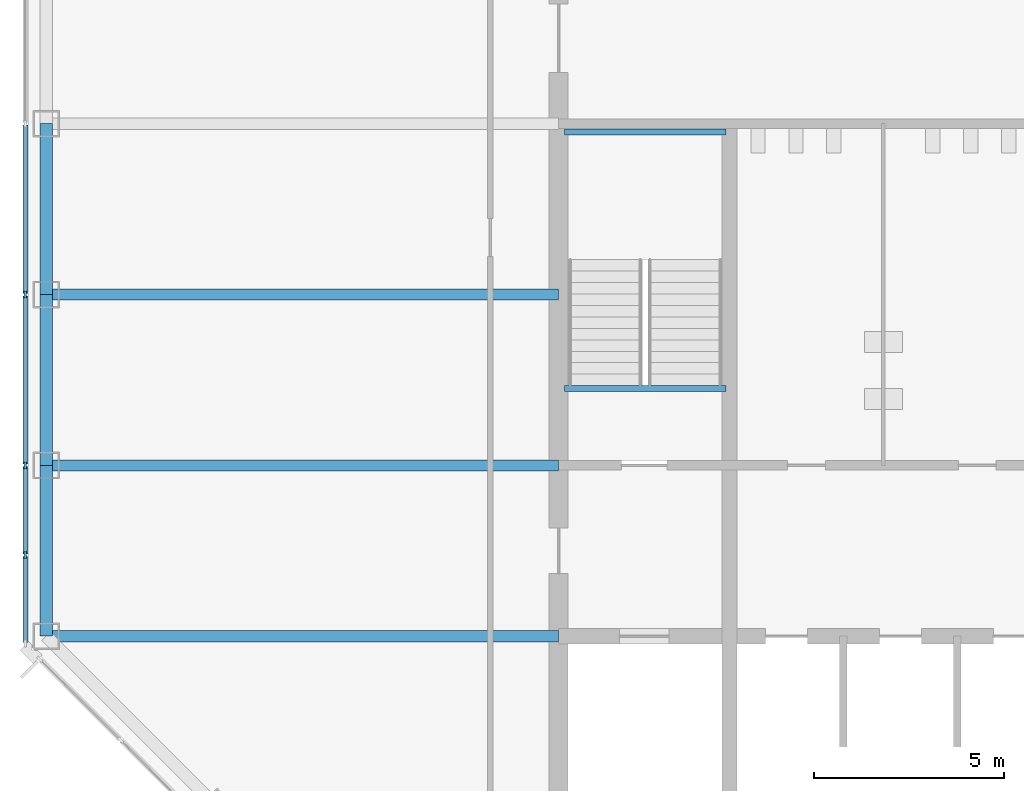
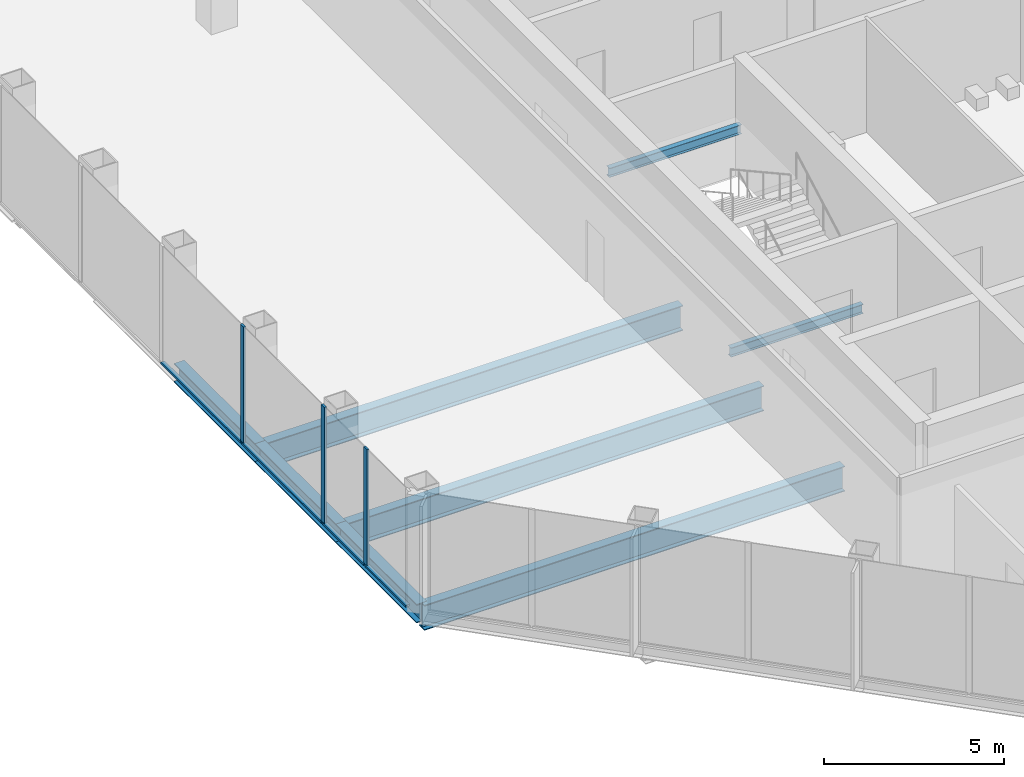
# One storey, part 3 of 12: 8 beams, 7 members, 1 element without a shape of its own.
"""IFC4 building model written with IfcOpenShell, lengths in metres."""

from ifc_helpers import new_model, si_unit, direction, frame, origin, origin_2d, place, context, subcontext, project, spatial, rectangle, i_section, extrude, material, material_profile, profile_set, type_object, element, aggregate, save


model = new_model("IFC4")

# Units and contexts
model_context = context("Model", 3, precision=1e-05, world=origin(), true_north=direction((0.0, 1.0)))
body_context = subcontext(model_context, "Body", "Model", "MODEL_VIEW")
ifc_project = project(units=[si_unit("LENGTHUNIT", "METRE"), si_unit("AREAUNIT", "SQUARE_METRE"), si_unit("VOLUMEUNIT", "CUBIC_METRE"), si_unit("PLANEANGLEUNIT", "RADIAN"), si_unit("MASSUNIT", "GRAM", prefix="KILO")], contexts=[model_context])

# Site, building, storey
site_placement = place(None, origin())
site = spatial("IfcSite", under=ifc_project, at=site_placement, CompositionType="ELEMENT")
building_placement = place(site_placement, origin())
building = spatial("IfcBuilding", under=site, at=building_placement, Name="Corais Broadcast Tower", CompositionType="ELEMENT")
storey_placement = place(building_placement, frame((0.0, 0.0, 183.60009765625)))
storey = spatial("IfcBuildingStorey", under=building, at=storey_placement, Name="L42", CompositionType="ELEMENT", Elevation=183.60009765625)

# Beams
ifc_material_1 = material(Name="Steel ASTM A572 Grade 50", Category="steel")
ifc_material_profile_1 = material_profile(ifc_material_1, i_section(OverallWidth=0.2939453125, OverallDepth=0.85107421875, WebThickness=0.01611328125, FlangeThickness=0.02685546875, at=origin_2d()), Name="W840x226")
ifc_profile_set_1 = profile_set([ifc_material_profile_1], Name="Steel ASTM A572 Grade 50")
beam_type_1 = type_object("IfcBeamType", Name="Floor beam W840x226", PredefinedType="BEAM", material=ifc_profile_set_1)
for number, where, z_axis, x_axis, name in (
    (1, (0.0, 18.0, -0.585693359375), (1.0, 0.0, 0.0), (0.0, 1.0, 0.0), "B1 E/3 to E/6"),
    (2, (0.0, 22.5, -0.585693359375), (1.0, 0.0, 0.0), (0.0, 1.0, 0.0), "B1 F/3 to F/6"),
    (3, (0.0, 27.0, -0.585693359375), (1.0, 0.0, 0.0), (0.0, 1.0, 0.0), "B1 G/3 to G/6"),
):
    element("IfcBeam", number, at=place(storey_placement, frame(where, z_axis=z_axis, x_axis=x_axis)), inside=storey, type_object=beam_type_1, Name=name, PredefinedType="BEAM", context=body_context, shape_type="SweptSolid", body=[
        extrude(i_section(OverallWidth=0.2939453125, OverallDepth=0.85107421875, WebThickness=0.01611328125, FlangeThickness=0.02685546875, at=origin_2d()), origin(), (0.0, 0.0, 1.0), 13.5),
    ])
ifc_material_2 = material(Name="Steel ASTM A572 Grade 50", Category="steel")
ifc_material_profile_2 = material_profile(ifc_material_2, i_section(OverallWidth=0.1650390625, OverallDepth=0.31005859375, WebThickness=0.005859375, FlangeThickness=0.009765625, at=origin_2d()), Name="W310x38.7")
ifc_profile_set_2 = profile_set([ifc_material_profile_2], Name="Steel ASTM A572 Grade 50")
beam_type_2 = type_object("IfcBeamType", Name="Landing trimmer W310x38.7", PredefinedType="BEAM", material=ifc_profile_set_2)
for number, where, z_axis, x_axis, name in (
    (4, (13.64990234375, 24.52490234375, -0.35498046875), (1.0, 0.0, 0.0), (0.0, 1.0, 0.0), "LT1 stair A landing trimmer L42"),
    (5, (13.64990234375, 31.284912109375, 1.64501953125), (1.0, 0.0, 0.0), (0.0, 1.0, 0.0), "LT1 stair A half landing trimmer L42"),
):
    element("IfcBeam", number, at=place(storey_placement, frame(where, z_axis=z_axis, x_axis=x_axis)), inside=storey, type_object=beam_type_2, Name=name, PredefinedType="BEAM", context=body_context, shape_type="SweptSolid", body=[
        extrude(i_section(OverallWidth=0.1650390625, OverallDepth=0.31005859375, WebThickness=0.005859375, FlangeThickness=0.009765625, at=origin_2d()), origin(), (0.0, 0.0, 1.0), 4.25),
    ])

# Curtain wall, members
ifc_material_3 = material(Name="Aluminium and glass", Category="aluminium")
curtain_wall_type = type_object("IfcCurtainWallType", Name="Unitised fritted curtain wall CW2", PredefinedType="NOTDEFINED", material=ifc_material_3)
curtain_wall_placement = place(storey_placement, origin())
curtain_wall = element("IfcCurtainWall", 6, at=curtain_wall_placement, inside=storey, type_object=curtain_wall_type, Name="CW2 curtain wall L42 2", PredefinedType="NOTDEFINED")
ifc_material_4 = material(Name="Aluminium 6063-T6", Category="aluminium")
ifc_material_profile_3 = material_profile(ifc_material_4, rectangle(XDim=0.06494140625, YDim=0.179931640625, at=origin_2d()), Name="Mullion CW2 65x180")
ifc_profile_set_3 = profile_set([ifc_material_profile_3], Name="Aluminium 6063-T6")
member_type_1 = type_object("IfcMemberType", Name="Mullion CW2 65x180", PredefinedType="MULLION", material=ifc_profile_set_3)
member_1_placement = place(storey_placement, frame((-0.550048828125, 20.135986328125, 0.0), z_axis=(0.0, 0.0, 1.0), x_axis=(-1.0, 0.0, 0.0)))
member_1 = element("IfcMember", 7, at=member_1_placement, type_object=member_type_1, Name="CW2 mullion 2", PredefinedType="MULLION", context=body_context, shape_type="SweptSolid", body=[
    extrude(rectangle(XDim=0.06494140625, YDim=0.179931640625, at=origin_2d()), origin(), (0.0, 0.0, 1.0), 4.0),
])
member_2_placement = place(storey_placement, frame((-0.550048828125, 22.5, 0.0), z_axis=(0.0, 0.0, 1.0), x_axis=(-1.0, 0.0, 0.0)))
member_2 = element("IfcMember", 8, at=member_2_placement, type_object=member_type_1, Name="CW2 mullion 3", PredefinedType="MULLION", context=body_context, shape_type="SweptSolid", body=[
    extrude(rectangle(XDim=0.06494140625, YDim=0.179931640625, at=origin_2d()), origin(), (0.0, 0.0, 1.0), 4.0),
])
member_3_placement = place(storey_placement, frame((-0.550048828125, 27.0, 0.0), z_axis=(0.0, 0.0, 1.0), x_axis=(-1.0, 0.0, 0.0)))
member_3 = element("IfcMember", 9, at=member_3_placement, type_object=member_type_1, Name="CW2 mullion 4", PredefinedType="MULLION", context=body_context, shape_type="SweptSolid", body=[
    extrude(rectangle(XDim=0.06494140625, YDim=0.179931640625, at=origin_2d()), origin(), (0.0, 0.0, 1.0), 4.0),
])

# Beams
ifc_material_5 = material(Name="Steel ASTM A572 Grade 50", Category="steel")
ifc_material_profile_4 = material_profile(ifc_material_5, i_section(OverallWidth=0.3291015625, OverallDepth=0.635009765625, WebThickness=0.017822265625, FlangeThickness=0.031005859375, at=origin_2d()), Name="W610x241")
ifc_profile_set_4 = profile_set([ifc_material_profile_4], Name="Steel ASTM A572 Grade 50")
beam_type_3 = type_object("IfcBeamType", Name="Spandrel W610x241", PredefinedType="BEAM", material=ifc_profile_set_4)
for number, where, z_axis, x_axis, name in (
    (10, (0.0, 22.5, -0.4775390625), (0.0, -1.0, 0.0), (1.0, 0.0, 0.0), "SB1 F/3 to E/3"),
    (11, (0.0, 27.0, -0.4775390625), (0.0, -1.0, 0.0), (1.0, 0.0, 0.0), "SB1 G/3 to F/3"),
    (12, (0.0, 31.5, -0.4775390625), (0.0, -1.0, 0.0), (1.0, 0.0, 0.0), "SB1 H/3 to G/3"),
):
    element("IfcBeam", number, at=place(storey_placement, frame(where, z_axis=z_axis, x_axis=x_axis)), inside=storey, type_object=beam_type_3, Name=name, PredefinedType="BEAM", context=body_context, shape_type="SweptSolid", body=[
        extrude(i_section(OverallWidth=0.3291015625, OverallDepth=0.635009765625, WebThickness=0.017822265625, FlangeThickness=0.031005859375, at=origin_2d()), origin(), (0.0, 0.0, 1.0), 4.5),
    ])

# Member
ifc_material_6 = material(Name="Aluminium 6063-T6", Category="aluminium")
ifc_material_profile_5 = material_profile(ifc_material_6, rectangle(XDim=0.1298828125, YDim=0.06494140625, at=origin_2d()), Name="Transom CW2 65x130")
ifc_profile_set_5 = profile_set([ifc_material_profile_5], Name="Aluminium 6063-T6")
member_type_2 = type_object("IfcMemberType", Name="Transom CW2 65x130", PredefinedType="USERDEFINED", material=ifc_profile_set_5)
member_4_placement = place(storey_placement, frame((-0.550048828125, 17.837158203125, 0.032470703125), z_axis=(0.0, 1.0, 0.0), x_axis=(-1.0, 0.0, 0.0)))
member_4 = element("IfcMember", 13, at=member_4_placement, type_object=member_type_2, Name="CW2 transom 1.1", ObjectType="TRANSOM", PredefinedType="USERDEFINED", context=body_context, shape_type="SweptSolid", body=[
    extrude(rectangle(XDim=0.1298828125, YDim=0.06494140625, at=origin_2d()), origin(), (0.0, 0.0, 1.0), 2.266357421875),
])

member_5_placement = place(storey_placement, frame((-0.550048828125, 20.168701171875, 0.032470703125), z_axis=(0.0, 1.0, 0.0), x_axis=(-1.0, 0.0, 0.0)))
member_5 = element("IfcMember", 14, at=member_5_placement, type_object=member_type_2, Name="CW2 transom 2.1", ObjectType="TRANSOM", PredefinedType="USERDEFINED", context=body_context, shape_type="SweptSolid", body=[
    extrude(rectangle(XDim=0.1298828125, YDim=0.06494140625, at=origin_2d()), origin(), (0.0, 0.0, 1.0), 2.298828125),
])

member_6_placement = place(storey_placement, frame((-0.550048828125, 22.532470703125, 0.032470703125), z_axis=(0.0, 1.0, 0.0), x_axis=(-1.0, 0.0, 0.0)))
member_6 = element("IfcMember", 15, at=member_6_placement, type_object=member_type_2, Name="CW2 transom 3.1", ObjectType="TRANSOM", PredefinedType="USERDEFINED", context=body_context, shape_type="SweptSolid", body=[
    extrude(rectangle(XDim=0.1298828125, YDim=0.06494140625, at=origin_2d()), origin(), (0.0, 0.0, 1.0), 4.43505859375),
])

member_7_placement = place(storey_placement, frame((-0.550048828125, 27.032470703125, 0.032470703125), z_axis=(0.0, 1.0, 0.0), x_axis=(-1.0, 0.0, 0.0)))
member_7 = element("IfcMember", 16, at=member_7_placement, type_object=member_type_2, Name="CW2 transom 4.1", ObjectType="TRANSOM", PredefinedType="USERDEFINED", context=body_context, shape_type="SweptSolid", body=[
    extrude(rectangle(XDim=0.1298828125, YDim=0.06494140625, at=origin_2d()), origin(), (0.0, 0.0, 1.0), 4.43505859375),
])

aggregate(curtain_wall, [member_1, member_2, member_3, member_4, member_5, member_6, member_7])

save(model, "model.ifc")
